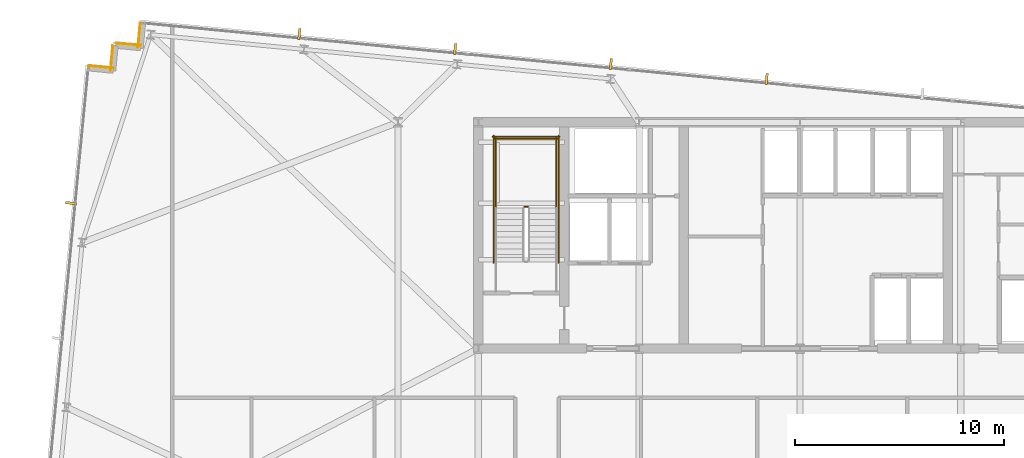
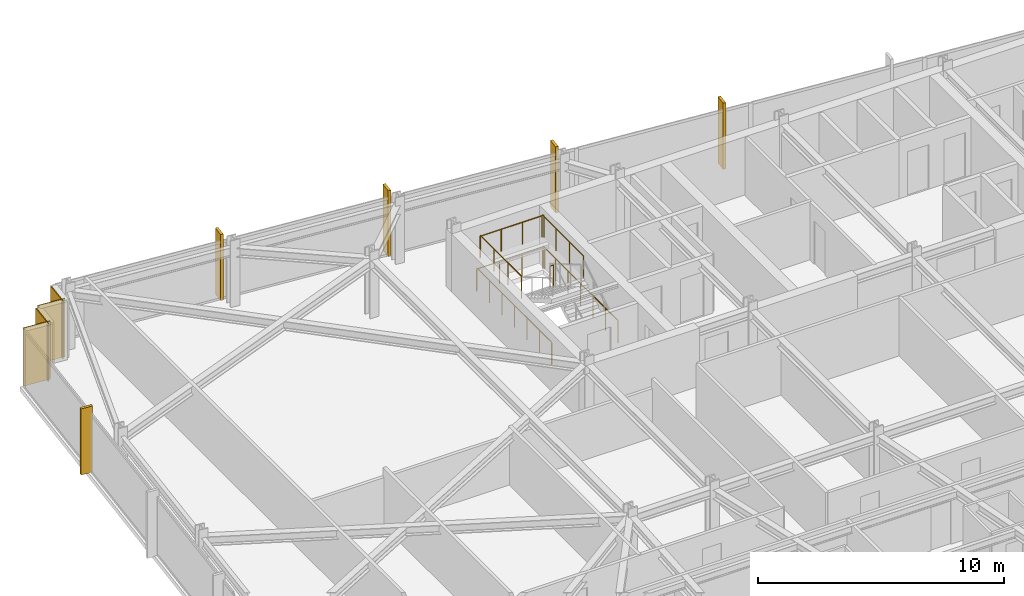
# One storey, part 36 of 37: 7 railings, 5 shading devices, 4 coverings.
"""IFC4 building model written with IfcOpenShell, lengths in metres."""

from ifc_helpers import new_model, si_unit, direction, frame, frame_2d, origin, origin_2d, place, context, subcontext, project, spatial, rectangle, circle, extrude, material, layer, layer_set, type_object, element, save


model = new_model("IFC4")

# Units and contexts
model_context = context("Model", 3, precision=1e-05, world=origin(), true_north=direction((0.0, 1.0)))
body_context = subcontext(model_context, "Body", "Model", "MODEL_VIEW")
ifc_project = project(units=[si_unit("LENGTHUNIT", "METRE"), si_unit("AREAUNIT", "SQUARE_METRE"), si_unit("VOLUMEUNIT", "CUBIC_METRE"), si_unit("PLANEANGLEUNIT", "RADIAN"), si_unit("MASSUNIT", "GRAM", prefix="KILO")], contexts=[model_context])

# Site, building, storey
site_placement = place(None, origin())
site = spatial("IfcSite", under=ifc_project, at=site_placement, CompositionType="ELEMENT")
building_placement = place(site_placement, origin())
building = spatial("IfcBuilding", under=site, at=building_placement, Name="Yelkora Congress Tower", CompositionType="ELEMENT")
storey_placement = place(building_placement, frame((0.0, 0.0, 188.60009765625)))
storey = spatial("IfcBuildingStorey", under=building, at=storey_placement, Name="L52", CompositionType="ELEMENT", Elevation=188.60009765625)

# Coverings
ifc_material_1 = material(Name="Anatolian bush-hammered limestone", Category="masonry")
ifc_layer_1 = layer(ifc_material_1, 0.0400390625)
ifc_layer_set_1 = layer_set([ifc_layer_1], Name="Anatolian bush-hammered limestone")
covering_type = type_object("IfcCoveringType", Name="COV-CLAD-SPANDREL-40", PredefinedType="CLADDING", material=ifc_layer_set_1)
for number, where, z_axis, x_axis, name in (
    (1, (4.423583984375, 48.9130859375, 0.0), (0.0, 0.0, 1.0), (0.995398960025, -0.095817067274, 0.0), "L52 Anatolian Limestone Cladding EW-L52-SR06"),
    (2, (5.470703125, 48.676513671875, 0.0), (0.0, 0.0, 1.0), (0.095817067274, 0.995398960025, 0.0), "L52 Anatolian Limestone Cladding EW-L52-SR07"),
):
    element("IfcCovering", number, at=place(storey_placement, frame(where, z_axis=z_axis, x_axis=x_axis)), inside=storey, type_object=covering_type, Name=name, PredefinedType="CLADDING", context=body_context, shape_type="SweptSolid", body=[
        extrude(rectangle(XDim=1.2001953125, YDim=0.0400390625, at=frame_2d((0.60009765625, 0.0))), origin(), (0.0, 0.0, 1.0), 2.8798828125),
    ])
covering_1_placement = place(storey_placement, frame((5.733154296875, 49.992431640625, 0.0), z_axis=(0.0, 0.0, 1.0), x_axis=(0.995397091755, -0.095836473879, 0.0)))
element("IfcCovering", 3, at=covering_1_placement, inside=storey, type_object=covering_type, Name="L52 Anatolian Limestone Cladding EW-L52-SR08", PredefinedType="CLADDING", context=body_context, shape_type="SweptSolid", body=[
    extrude(rectangle(XDim=1.199951171875, YDim=0.0400390625, at=frame_2d((0.60009765625, 0.0))), origin(), (0.0, 0.0, 1.0), 2.8798828125),
])
covering_2_placement = place(storey_placement, frame((6.780029296875, 49.756103515625, 0.0), z_axis=(0.0, 0.0, 1.0), x_axis=(0.096018626938, 0.995379537303, 0.0)))
element("IfcCovering", 4, at=covering_2_placement, inside=storey, type_object=covering_type, Name="L52 Anatolian Limestone Cladding EW-L52-SR09", PredefinedType="CLADDING", context=body_context, shape_type="SweptSolid", body=[
    extrude(rectangle(XDim=1.2001953125, YDim=0.0400390625, at=frame_2d((0.60009765625, 0.0))), origin(), (0.0, 0.0, 1.0), 2.8798828125),
])

# Railings
ifc_material_2 = material(Name="Painted galvanised steel stair well guard with vertical infill", Category="steel")
ifc_layer_2 = layer(ifc_material_2, 0.06005859375)
ifc_layer_set_2 = layer_set([ifc_layer_2], Name="Painted galvanised steel stair well guard with vertical infill")
railing_type = type_object("IfcRailingType", Name="RAIL-STAIR-GUARD-1120", PredefinedType="GUARDRAIL", material=ifc_layer_set_2)
railing_1_placement = place(storey_placement, frame((25.39990234375, 42.169921875, 1.64990234375)))
element("IfcRailing", 5, at=railing_1_placement, inside=storey, type_object=railing_type, Name="ST-01 L52 Stair Well Guardrail 2", PredefinedType="GUARDRAIL", context=body_context, shape_type="SweptSolid", body=[
    extrude(circle(Radius=0.02392578125, at=origin_2d()), frame((0.0, 0.0, 1.09619140625), z_axis=(-1.0, 0.0, 0.0), x_axis=(0.0, -1.0, 0.0)), (0.0, 0.0, 1.0), 0.159912109375),
    extrude(circle(Radius=0.02099609375, at=origin_2d()), origin(), (0.0, 0.0, 1.0), 1.072021484375),
    extrude(circle(Radius=0.02099609375, at=origin_2d()), frame((-0.159912109375, 0.0, 0.0)), (0.0, 0.0, 1.0), 1.072021484375),
])
for number, where, name in (
    (6, (26.77001953125, 42.1201171875, 1.64990234375), "ST-01 L52 Stair Well Guardrail 3"),
    (7, (23.8701171875, 42.1201171875, 1.64990234375), "ST-01 L52 Stair Well Guardrail 4"),
):
    element("IfcRailing", number, at=place(storey_placement, frame(where)), inside=storey, type_object=railing_type, Name=name, PredefinedType="GUARDRAIL", context=body_context, shape_type="SweptSolid", body=[
        extrude(circle(Radius=0.02392578125, at=origin_2d()), frame((0.0, 0.0, 1.09619140625), z_axis=(0.0, 1.0, 0.0), x_axis=(-1.0, 0.0, 0.0)), (0.0, 0.0, 1.0), 3.349853515625),
        extrude(circle(Radius=0.02099609375, at=origin_2d()), origin(), (0.0, 0.0, 1.0), 1.072021484375),
        extrude(circle(Radius=0.02099609375, at=origin_2d()), frame((0.0, 1.11669921875, 0.0)), (0.0, 0.0, 1.0), 1.072021484375),
        extrude(circle(Radius=0.02099609375, at=origin_2d()), frame((0.0, 2.233154296875, 0.0)), (0.0, 0.0, 1.0), 1.072021484375),
        extrude(circle(Radius=0.02099609375, at=origin_2d()), frame((0.0, 3.349853515625, 0.0)), (0.0, 0.0, 1.0), 1.072021484375),
    ])
railing_2_placement = place(storey_placement, frame((26.820068359375, 45.419921875, 1.64990234375)))
element("IfcRailing", 8, at=railing_2_placement, inside=storey, type_object=railing_type, Name="ST-01 L52 Stair Well Guardrail 5", PredefinedType="GUARDRAIL", context=body_context, shape_type="SweptSolid", body=[
    extrude(circle(Radius=0.02392578125, at=origin_2d()), frame((0.0, 0.0, 1.09619140625), z_axis=(-1.0, 0.0, 0.0), x_axis=(0.0, -1.0, 0.0)), (0.0, 0.0, 1.0), 3.0),
    extrude(circle(Radius=0.02099609375, at=origin_2d()), origin(), (0.0, 0.0, 1.0), 1.072021484375),
    extrude(circle(Radius=0.02099609375, at=origin_2d()), frame((-1.0, 0.0, 0.0)), (0.0, 0.0, 1.0), 1.072021484375),
    extrude(circle(Radius=0.02099609375, at=origin_2d()), frame((-2.0, 0.0, 0.0)), (0.0, 0.0, 1.0), 1.072021484375),
    extrude(circle(Radius=0.02099609375, at=origin_2d()), frame((-3.0, 0.0, 0.0)), (0.0, 0.0, 1.0), 1.072021484375),
])
for number, where, name in (
    (9, (26.8701171875, 39.5, 0.0), "ST-01 L52 Stair Well Guardrail 10"),
    (10, (23.77001953125, 39.5, 0.0), "ST-01 L52 Stair Well Guardrail 11"),
):
    element("IfcRailing", number, at=place(storey_placement, frame(where)), inside=storey, type_object=railing_type, Name=name, PredefinedType="GUARDRAIL", context=body_context, shape_type="SweptSolid", body=[
        extrude(circle(Radius=0.02392578125, at=origin_2d()), frame((0.0, 0.0, 1.09619140625), z_axis=(0.0, 1.0, 0.0), x_axis=(-1.0, 0.0, 0.0)), (0.0, 0.0, 1.0), 6.070068359375),
        extrude(circle(Radius=0.02099609375, at=origin_2d()), origin(), (0.0, 0.0, 1.0), 1.072021484375),
        extrude(circle(Radius=0.02099609375, at=origin_2d()), frame((0.0, 1.01171875, 0.0)), (0.0, 0.0, 1.0), 1.072021484375),
        extrude(circle(Radius=0.02099609375, at=origin_2d()), frame((0.0, 2.0234375, 0.0)), (0.0, 0.0, 1.0), 1.072021484375),
        extrude(circle(Radius=0.02099609375, at=origin_2d()), frame((0.0, 3.03515625, 0.0)), (0.0, 0.0, 1.0), 1.072021484375),
        extrude(circle(Radius=0.02099609375, at=origin_2d()), frame((0.0, 4.046630859375, 0.0)), (0.0, 0.0, 1.0), 1.072021484375),
        extrude(circle(Radius=0.02099609375, at=origin_2d()), frame((0.0, 5.058349609375, 0.0)), (0.0, 0.0, 1.0), 1.072021484375),
        extrude(circle(Radius=0.02099609375, at=origin_2d()), frame((0.0, 6.070068359375, 0.0)), (0.0, 0.0, 1.0), 1.072021484375),
    ])
railing_3_placement = place(storey_placement, frame((26.919921875, 45.52001953125, 0.0)))
element("IfcRailing", 11, at=railing_3_placement, inside=storey, type_object=railing_type, Name="ST-01 L52 Stair Well Guardrail 12", PredefinedType="GUARDRAIL", context=body_context, shape_type="SweptSolid", body=[
    extrude(circle(Radius=0.02392578125, at=origin_2d()), frame((0.0, 0.0, 1.09619140625), z_axis=(-1.0, 0.0, 0.0), x_axis=(0.0, -1.0, 0.0)), (0.0, 0.0, 1.0), 3.199951171875),
    extrude(circle(Radius=0.02099609375, at=origin_2d()), origin(), (0.0, 0.0, 1.0), 1.072021484375),
    extrude(circle(Radius=0.02099609375, at=origin_2d()), frame((-1.066650390625, 0.0, 0.0)), (0.0, 0.0, 1.0), 1.072021484375),
    extrude(circle(Radius=0.02099609375, at=origin_2d()), frame((-2.13330078125, 0.0, 0.0)), (0.0, 0.0, 1.0), 1.072021484375),
    extrude(circle(Radius=0.02099609375, at=origin_2d()), frame((-3.199951171875, 0.0, 0.0)), (0.0, 0.0, 1.0), 1.072021484375),
])

# Shading devices
ifc_material_3 = material(Name="Champagne anodised aluminium", Category="aluminium")
ifc_layer_3 = layer(ifc_material_3, 3.300048828125)
ifc_layer_set_3 = layer_set([ifc_layer_3], Name="Champagne anodised aluminium")
shading_device_type = type_object("IfcShadingDeviceType", Name="SHD-FIN-ALU-520", PredefinedType="USERDEFINED", material=ifc_layer_set_3)
for number, where, z_axis, x_axis, name in (
    (12, (3.590087890625, 42.34375, -0.0302734375), (0.0, 0.0, 1.0), (0.09584575252, 0.995396198367, 0.0), "L52 Vertical Anodised Solar Fin 5-4"),
    (13, (14.48876953125, 50.42041015625, -0.0302734375), (0.0, 0.0, 1.0), (0.995396198367, -0.09584575252, 0.0), "L52 Vertical Anodised Solar Fin 10-1"),
    (14, (21.928466796875, 49.703857421875, -0.0302734375), (0.0, 0.0, 1.0), (0.995396198367, -0.09584575252, 0.0), "L52 Vertical Anodised Solar Fin 10-2"),
    (15, (29.368408203125, 48.987548828125, -0.0302734375), (0.0, 0.0, 1.0), (0.995396198367, -0.09584575252, 0.0), "L52 Vertical Anodised Solar Fin 10-3"),
    (16, (36.808349609375, 48.271240234375, -0.0302734375), (0.0, 0.0, 1.0), (0.995396198367, -0.09584575252, 0.0), "L52 Vertical Anodised Solar Fin 10-4"),
):
    element("IfcShadingDevice", number, at=place(storey_placement, frame(where, z_axis=z_axis, x_axis=x_axis)), inside=storey, type_object=shading_device_type, Name=name, ObjectType="FIN", PredefinedType="USERDEFINED", context=body_context, shape_type="SweptSolid", body=[
        extrude(rectangle(XDim=0.1201171875, YDim=0.52001953125, at=origin_2d()), origin(), (0.0, 0.0, 1.0), 3.280029296875),
    ])

save(model, "model.ifc")
